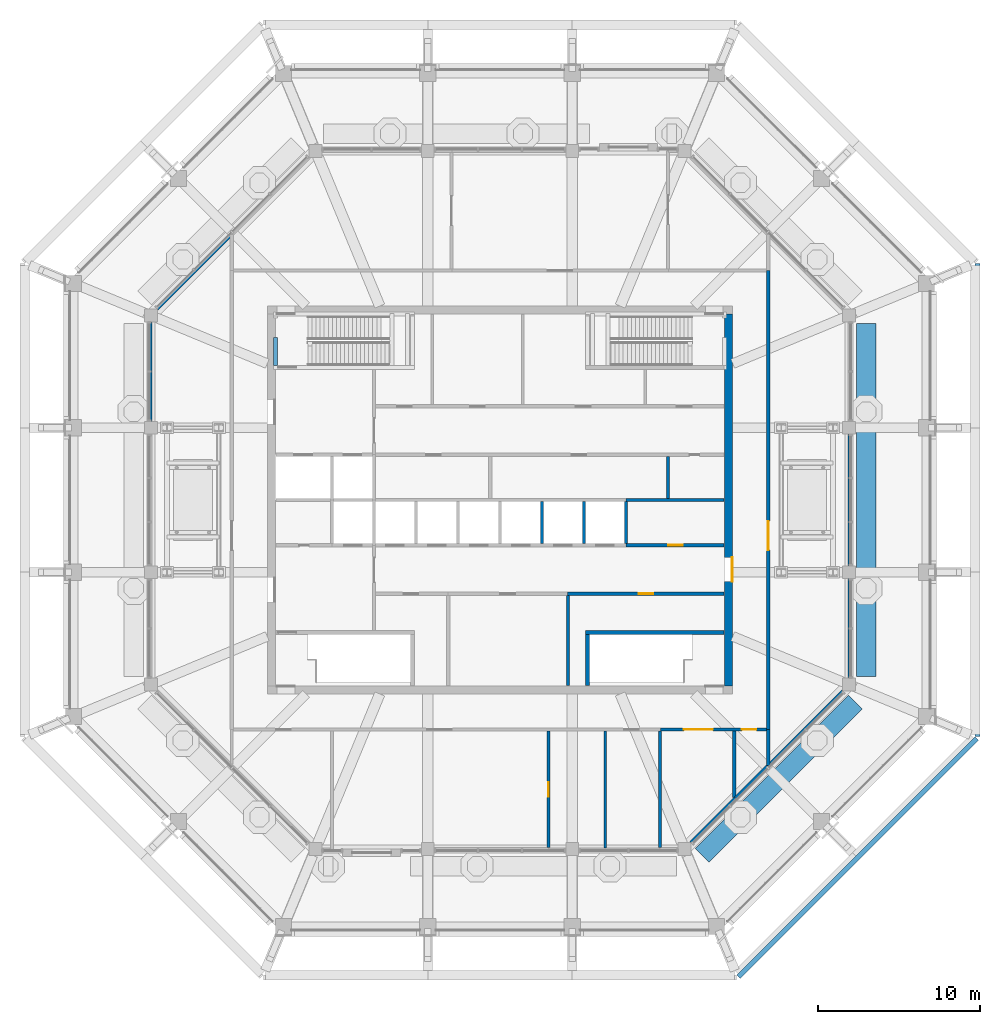
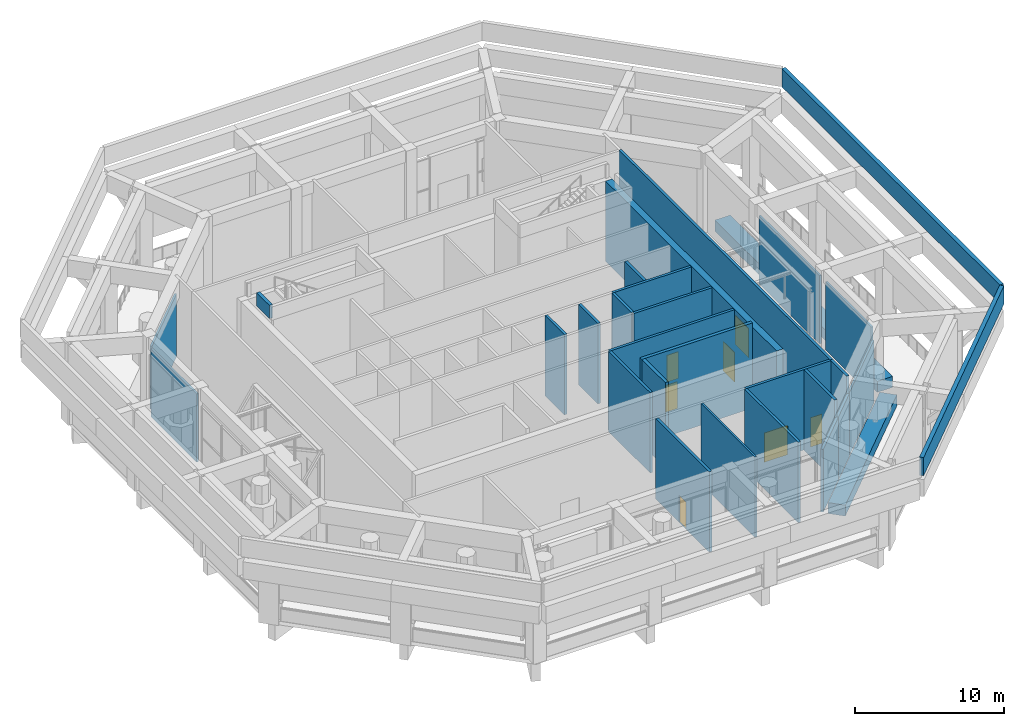
# One storey, part 15 of 29: 30 walls, 7 doors, 7 openings.
"""IFC4 building model written with IfcOpenShell, lengths in metres."""

from ifc_helpers import new_model, si_unit, direction, frame, frame_2d, origin, place, context, subcontext, project, spatial, rectangle, extrude, material, layer, layer_set, type_object, element, fill, save


model = new_model("IFC4")

# Units and contexts
model_context = context("Model", 3, precision=1e-05, world=origin(), true_north=direction((0.0, 1.0)))
body_context = subcontext(model_context, "Body", "Model", "MODEL_VIEW")
ifc_project = project(units=[si_unit("LENGTHUNIT", "METRE"), si_unit("AREAUNIT", "SQUARE_METRE"), si_unit("VOLUMEUNIT", "CUBIC_METRE"), si_unit("PLANEANGLEUNIT", "RADIAN"), si_unit("MASSUNIT", "GRAM", prefix="KILO")], contexts=[model_context])

# Site, building, storey
site_placement = place(None, origin())
site = spatial("IfcSite", under=ifc_project, at=site_placement, CompositionType="ELEMENT")
building_placement = place(site_placement, origin())
building = spatial("IfcBuilding", under=site, at=building_placement, Name="Msitu Wima Residences", CompositionType="ELEMENT")
storey_placement = place(building_placement, frame((0.0, 0.0, 320.10009765625)))
storey = spatial("IfcBuildingStorey", under=building, at=storey_placement, Name="L74", CompositionType="ELEMENT", Elevation=320.10009765625)

# Wall, opening, door
ifc_material_1 = material(Name="Concrete C50/60", Category="concrete")
ifc_layer_1 = layer(ifc_material_1, 0.5)
ifc_layer_set_1 = layer_set([ifc_layer_1], Name="Concrete C50/60")
wall_type_1 = type_object("IfcWallType", Name="Core wall CW500 C50/60", PredefinedType="SHEAR", material=ifc_layer_set_1)
wall_1_placement = place(storey_placement, frame((14.14990234375, -11.5, 0.0), z_axis=(0.0, 0.0, 1.0), x_axis=(0.0, 1.0, 0.0)))
wall_1 = element("IfcWall", 1, at=wall_1_placement, inside=storey, type_object=wall_type_1, Name="Core wall", PredefinedType="SHEAR", context=body_context, shape_type="SweptSolid", body=[
    extrude(rectangle(XDim=23.0, YDim=0.5, at=frame_2d((11.5, 0.0))), origin(), (0.0, 0.0, 1.0), 6.599853515625),
])
opening_1_placement = place(wall_1_placement, frame((6.449951171875, 0.0, 0.0)))
opening_1 = element("IfcOpeningElement", 2, at=opening_1_placement, cuts=wall_1, Name="Opening D74.030", PredefinedType="OPENING", context=body_context, shape_type="SweptSolid", body=[
    extrude(rectangle(XDim=1.5, YDim=2.39990234375, at=frame_2d((0.75, 1.199951171875))), frame((0.0, 0.260009765625, 0.0), z_axis=(0.0, -1.0, 0.0), x_axis=(1.0, 0.0, 0.0)), (0.0, 0.0, 1.0), 0.52001953125),
])
ifc_material_2 = material(Name="Steel framed glazed door, fire resisting", Category="steel")
door_type_1 = type_object("IfcDoorType", Name="Lobby door D07 1500x2400", OperationType="DOUBLE_DOOR_SINGLE_SWING", PredefinedType="DOOR", material=ifc_material_2)
door_1_placement = place(opening_1_placement, origin())
door_1 = element("IfcDoor", 3, at=door_1_placement, inside=storey, type_object=door_type_1, Name="Lobby door", OperationType="DOUBLE_DOOR_SINGLE_SWING", OverallHeight=2.39990234375, OverallWidth=1.5, PredefinedType="DOOR", context=body_context, shape_type="SweptSolid", body=[
    extrude(rectangle(XDim=1.5, YDim=2.39990234375, at=frame_2d((0.75, 1.199951171875))), frame((0.0, -0.19482421875, 0.0), z_axis=(0.0, -1.0, 0.0), x_axis=(1.0, 0.0, 0.0)), (0.0, 0.0, 1.0), 0.050048828125),
])
fill(opening_1, door_1)

ifc_material_3 = material(Name="Plaster")
ifc_layer_2 = layer(ifc_material_3, 0.011962890625, Name="Plaster")
ifc_material_4 = material(Name="Concrete blockwork", Category="masonry")
ifc_layer_3 = layer(ifc_material_4, 0.176025390625, Name="Concrete blockwork")
ifc_layer_4 = layer(ifc_material_3, 0.011962890625, Name="Plaster")
ifc_layer_set_2 = layer_set([ifc_layer_2, ifc_layer_3, ifc_layer_4], Name="Concrete blockwork")
wall_type_2 = type_object("IfcWallType", Name="Corridor wall FW200", PredefinedType="PARTITIONING", material=ifc_layer_set_2)
wall_2_placement = place(storey_placement, frame((3.0, -21.5, 0.0), z_axis=(0.0, 0.0, 1.0), x_axis=(0.0, 1.0, 0.0)))
wall_2 = element("IfcWall", 4, at=wall_2_placement, inside=storey, type_object=wall_type_2, Name="Corridor wall", PredefinedType="PARTITIONING", context=body_context, shape_type="SweptSolid", body=[
    extrude(rectangle(XDim=7.199951171875, YDim=0.199951171875, at=frame_2d((3.60009765625, 0.0))), origin(), (0.0, 0.0, 1.0), 6.599853515625),
])
opening_2_placement = place(wall_2_placement, frame((3.14990234375, 0.0, 0.0)))
opening_2 = element("IfcOpeningElement", 5, at=opening_2_placement, cuts=wall_2, Name="Opening D74.028", PredefinedType="OPENING", context=body_context, shape_type="SweptSolid", body=[
    extrude(rectangle(XDim=0.89990234375, YDim=2.199951171875, at=frame_2d((0.449951171875, 1.10009765625))), frame((0.0, 0.10986328125, 0.0), z_axis=(0.0, -1.0, 0.0), x_axis=(1.0, 0.0, 0.0)), (0.0, 0.0, 1.0), 0.219970703125),
])
ifc_material_5 = material(Name="Timber flush door, moisture resistant", Category="wood")
door_type_2 = type_object("IfcDoorType", Name="Bathroom door D03 900x2200", OperationType="SINGLE_SWING_LEFT", PredefinedType="DOOR", material=ifc_material_5)
door_2_placement = place(opening_2_placement, origin())
door_2 = element("IfcDoor", 6, at=door_2_placement, inside=storey, type_object=door_type_2, Name="Bathroom door", OperationType="SINGLE_SWING_RIGHT", OverallHeight=2.199951171875, OverallWidth=0.89990234375, PredefinedType="DOOR", context=body_context, shape_type="SweptSolid", body=[
    extrude(rectangle(XDim=0.89990234375, YDim=2.199951171875, at=frame_2d((0.449951171875, 1.10009765625))), frame((0.0, 0.02490234375, 0.0), z_axis=(0.0, -1.0, 0.0), x_axis=(1.0, 0.0, 0.0)), (0.0, 0.0, 1.0), 0.050048828125),
])
fill(opening_2, door_2)

wall_3_placement = place(storey_placement, frame((4.179931640625, -5.800048828125, 0.0), z_axis=(0.0, 0.0, 1.0), x_axis=(1.0, 0.0, 0.0)))
wall_3 = element("IfcWall", 7, at=wall_3_placement, inside=storey, type_object=wall_type_2, Name="Corridor wall", PredefinedType="PARTITIONING", context=body_context, shape_type="SweptSolid", body=[
    extrude(rectangle(XDim=9.690185546875, YDim=0.199951171875, at=frame_2d((4.84521484375, 0.0))), origin(), (0.0, 0.0, 1.0), 6.599853515625),
])
opening_3_placement = place(wall_3_placement, frame((4.39990234375, 0.0, 0.0)))
opening_3 = element("IfcOpeningElement", 8, at=opening_3_placement, cuts=wall_3, Name="Opening D74.012", PredefinedType="OPENING", context=body_context, shape_type="SweptSolid", body=[
    extrude(rectangle(XDim=0.89990234375, YDim=2.199951171875, at=frame_2d((0.449951171875, 1.10009765625))), frame((0.0, 0.10986328125, 0.0), z_axis=(0.0, -1.0, 0.0), x_axis=(1.0, 0.0, 0.0)), (0.0, 0.0, 1.0), 0.219970703125),
])
ifc_material_6 = material(Name="Timber flush door", Category="wood")
door_type_3 = type_object("IfcDoorType", Name="Service door D05 900x2200", OperationType="SINGLE_SWING_LEFT", PredefinedType="DOOR", material=ifc_material_6)
door_3_placement = place(opening_3_placement, origin())
door_3 = element("IfcDoor", 9, at=door_3_placement, inside=storey, type_object=door_type_3, Name="Service door", OperationType="SINGLE_SWING_LEFT", OverallHeight=2.199951171875, OverallWidth=0.89990234375, PredefinedType="DOOR", context=body_context, shape_type="SweptSolid", body=[
    extrude(rectangle(XDim=0.89990234375, YDim=2.199951171875, at=frame_2d((0.449951171875, 1.10009765625))), frame((0.0, 0.02490234375, 0.0), z_axis=(0.0, -1.0, 0.0), x_axis=(1.0, 0.0, 0.0)), (0.0, 0.0, 1.0), 0.050048828125),
])
fill(opening_3, door_3)

wall_4_placement = place(storey_placement, frame((16.60009765625, -14.199951171875, 0.0), z_axis=(0.0, 0.0, 1.0), x_axis=(0.0, 1.0, 0.0)))
wall_4 = element("IfcWall", 10, at=wall_4_placement, inside=storey, type_object=wall_type_2, Name="Corridor wall", PredefinedType="PARTITIONING", context=body_context, shape_type="SweptSolid", body=[
    extrude(rectangle(XDim=28.39990234375, YDim=0.199951171875, at=frame_2d((14.199951171875, 0.0))), origin(), (0.0, 0.0, 1.0), 6.599853515625),
])
opening_4_placement = place(wall_4_placement, frame((11.10009765625, 0.0, 0.0)))
opening_4 = element("IfcOpeningElement", 11, at=opening_4_placement, cuts=wall_4, Name="Opening D74.021", PredefinedType="OPENING", context=body_context, shape_type="SweptSolid", body=[
    extrude(rectangle(XDim=1.800048828125, YDim=2.39990234375, at=frame_2d((0.89990234375, 1.199951171875))), frame((0.0, 0.10986328125, 0.0), z_axis=(0.0, -1.0, 0.0), x_axis=(1.0, 0.0, 0.0)), (0.0, 0.0, 1.0), 0.219970703125),
])
ifc_material_7 = material(Name="Steel door, fire resisting", Category="steel")
door_type_4 = type_object("IfcDoorType", Name="Plant room door D09 1800x2400", OperationType="DOUBLE_DOOR_SINGLE_SWING", PredefinedType="DOOR", material=ifc_material_7)
door_4_placement = place(opening_4_placement, origin())
door_4 = element("IfcDoor", 12, at=door_4_placement, inside=storey, type_object=door_type_4, Name="Plant room door", OperationType="DOUBLE_DOOR_SINGLE_SWING", OverallHeight=2.39990234375, OverallWidth=1.800048828125, PredefinedType="DOOR", context=body_context, shape_type="SweptSolid", body=[
    extrude(rectangle(XDim=1.800048828125, YDim=2.39990234375, at=frame_2d((0.89990234375, 1.199951171875))), frame((0.0, 0.02490234375, 0.0), z_axis=(0.0, -1.0, 0.0), x_axis=(1.0, 0.0, 0.0)), (0.0, 0.0, 1.0), 0.050048828125),
])
fill(opening_4, door_4)

# Walls
ifc_material_8 = material(Name="Facing brick")
ifc_layer_5 = layer(ifc_material_8, 0.06494140625, Name="Facing brick")
ifc_material_9 = material(Name="Concrete C40/50", Category="concrete")
ifc_layer_6 = layer(ifc_material_9, 0.531005859375, Name="Concrete C40/50")
ifc_material_10 = material(Name="Waterproofing membrane")
ifc_layer_7 = layer(ifc_material_10, 0.00390625, Name="Waterproofing membrane")
ifc_material_11 = material(Name="Planting soil and planting")
ifc_layer_8 = layer(ifc_material_11, 0.60009765625, Name="Planting soil and planting")
ifc_layer_set_3 = layer_set([ifc_layer_5, ifc_layer_6, ifc_layer_7, ifc_layer_8], Name="Concrete C40/50")
wall_type_3 = type_object("IfcWallType", Name="Deck planter PLANTER PL1200", PredefinedType="USERDEFINED", material=ifc_layer_set_3)
wall_5_placement = place(storey_placement, frame((22.64990234375, -10.920654296875, 0.0), z_axis=(0.0, 0.0, 1.0), x_axis=(0.0, 1.0, 0.0)))
element("IfcWall", 13, at=wall_5_placement, inside=storey, type_object=wall_type_3, Name="Deck planter 1a", ObjectType="PLANTER", PredefinedType="USERDEFINED", context=body_context, shape_type="SweptSolid", body=[
    extrude(rectangle(XDim=21.84130859375, YDim=1.199951171875, at=frame_2d((10.920654296875, 0.0))), origin(), (0.0, 0.0, 1.0), 0.89990234375),
])
wall_6_placement = place(storey_placement, frame((12.511474609375, -21.990966796875, 0.0), z_axis=(0.0, 0.0, 1.0), x_axis=(0.707106781187, 0.707106781187, 0.0)))
element("IfcWall", 14, at=wall_6_placement, inside=storey, type_object=wall_type_3, Name="Deck planter 8a", ObjectType="PLANTER", PredefinedType="USERDEFINED", context=body_context, shape_type="SweptSolid", body=[
    extrude(rectangle(XDim=13.406005859375, YDim=1.199951171875, at=frame_2d((6.703125, 0.0))), origin(), (0.0, 0.0, 1.0), 0.89990234375),
])
ifc_layer_9 = layer(ifc_material_3, 0.011962890625, Name="Plaster")
ifc_layer_10 = layer(ifc_material_4, 0.1259765625, Name="Concrete blockwork")
ifc_layer_11 = layer(ifc_material_3, 0.011962890625, Name="Plaster")
ifc_layer_set_4 = layer_set([ifc_layer_9, ifc_layer_10, ifc_layer_11], Name="Concrete blockwork")
wall_type_4 = type_object("IfcWallType", Name="Partition PW150", PredefinedType="PARTITIONING", material=ifc_layer_set_4)
wall_7_placement = place(storey_placement, frame((-21.60009765625, 4.86865234375, 0.0), z_axis=(0.0, 0.0, 1.0), x_axis=(0.0, 1.0, 0.0)))
element("IfcWall", 15, at=wall_7_placement, inside=storey, type_object=wall_type_4, Name="Partition", PredefinedType="PARTITIONING", context=body_context, shape_type="SweptSolid", body=[
    extrude(rectangle(XDim=6.14892578125, YDim=0.14990234375, at=frame_2d((3.074462890625, 0.0))), origin(), (0.0, 0.0, 1.0), 5.599853515625),
])
wall_8_placement = place(storey_placement, frame((-21.199951171875, 11.817626953125, 0.0), z_axis=(0.0, 0.0, 1.0), x_axis=(0.707106781187, 0.707106781187, 0.0)))
element("IfcWall", 16, at=wall_8_placement, inside=storey, type_object=wall_type_4, Name="Partition", PredefinedType="PARTITIONING", context=body_context, shape_type="SweptSolid", body=[
    extrude(rectangle(XDim=6.377197265625, YDim=0.14990234375, at=frame_2d((3.1884765625, 0.0))), origin(), (0.0, 0.0, 1.0), 5.14990234375),
])
wall_9_placement = place(storey_placement, frame((6.5, -21.52490234375, 0.0), z_axis=(0.0, 0.0, 1.0), x_axis=(0.0, 1.0, 0.0)))
element("IfcWall", 17, at=wall_9_placement, inside=storey, type_object=wall_type_4, Name="Partition", PredefinedType="PARTITIONING", context=body_context, shape_type="SweptSolid", body=[
    extrude(rectangle(XDim=7.224853515625, YDim=0.14990234375, at=frame_2d((3.6123046875, 0.0))), origin(), (0.0, 0.0, 1.0), 6.599853515625),
])
wall_10_placement = place(storey_placement, frame((16.690673828125, -16.326904296875, 0.0), z_axis=(0.0, 0.0, 1.0), x_axis=(0.707106781187, 0.707106781187, 0.0)))
element("IfcWall", 18, at=wall_10_placement, inside=storey, type_object=wall_type_4, Name="Partition", PredefinedType="PARTITIONING", context=body_context, shape_type="SweptSolid", body=[
    extrude(rectangle(XDim=6.377197265625, YDim=0.14990234375, at=frame_2d((3.1884765625, 0.0))), origin(), (0.0, 0.0, 1.0), 5.14990234375),
])
wall_11_placement = place(storey_placement, frame((21.60009765625, -11.017578125, 0.0), z_axis=(0.0, 0.0, 1.0), x_axis=(0.0, 1.0, 0.0)))
element("IfcWall", 19, at=wall_11_placement, inside=storey, type_object=wall_type_4, Name="Partition", PredefinedType="PARTITIONING", context=body_context, shape_type="SweptSolid", body=[
    extrude(rectangle(XDim=6.14892578125, YDim=0.14990234375, at=frame_2d((3.074462890625, 0.0))), origin(), (0.0, 0.0, 1.0), 5.599853515625),
])
wall_12_placement = place(storey_placement, frame((21.60009765625, -4.068603515625, 0.0), z_axis=(0.0, 0.0, 1.0), x_axis=(0.0, 1.0, 0.0)))
element("IfcWall", 20, at=wall_12_placement, inside=storey, type_object=wall_type_4, Name="Partition", PredefinedType="PARTITIONING", context=body_context, shape_type="SweptSolid", body=[
    extrude(rectangle(XDim=8.13720703125, YDim=0.14990234375, at=frame_2d((4.068603515625, 0.0))), origin(), (0.0, 0.0, 1.0), 5.599853515625),
])
ifc_layer_12 = layer(ifc_material_3, 0.011962890625, Name="Plaster")
ifc_material_12 = material(Name="Reinforced concrete blockwork", Category="masonry")
ifc_layer_13 = layer(ifc_material_12, 0.176025390625, Name="Reinforced concrete blockwork")
ifc_layer_14 = layer(ifc_material_3, 0.011962890625, Name="Plaster")
ifc_layer_set_5 = layer_set([ifc_layer_12, ifc_layer_13, ifc_layer_14], Name="Reinforced concrete blockwork")
wall_type_5 = type_object("IfcWallType", Name="Plant and riser wall PL200", PredefinedType="PARTITIONING", material=ifc_layer_set_5)
wall_13_placement = place(storey_placement, frame((4.199951171875, -11.469970703125, 0.0), z_axis=(0.0, 0.0, 1.0), x_axis=(0.0, 1.0, 0.0)))
element("IfcWall", 21, at=wall_13_placement, inside=storey, type_object=wall_type_5, Name="Plant and riser wall", PredefinedType="PARTITIONING", context=body_context, shape_type="SweptSolid", body=[
    extrude(rectangle(XDim=5.570068359375, YDim=0.199951171875, at=frame_2d((2.78515625, 0.0))), origin(), (0.0, 0.0, 1.0), 6.599853515625),
])

# Wall, opening, door
wall_14_placement = place(storey_placement, frame((7.800048828125, -2.800048828125, 0.0), z_axis=(0.0, 0.0, 1.0), x_axis=(1.0, 0.0, 0.0)))
wall_14 = element("IfcWall", 22, at=wall_14_placement, inside=storey, type_object=wall_type_5, Name="Plant and riser wall", PredefinedType="PARTITIONING", context=body_context, shape_type="SweptSolid", body=[
    extrude(rectangle(XDim=6.070068359375, YDim=0.199951171875, at=frame_2d((3.03515625, 0.0))), origin(), (0.0, 0.0, 1.0), 6.599853515625),
])
opening_5_placement = place(wall_14_placement, frame((2.60009765625, 0.0, 0.0)))
opening_5 = element("IfcOpeningElement", 23, at=opening_5_placement, cuts=wall_14, Name="Opening D74.003", PredefinedType="OPENING", context=body_context, shape_type="SweptSolid", body=[
    extrude(rectangle(XDim=0.89990234375, YDim=2.199951171875, at=frame_2d((0.449951171875, 1.10009765625))), frame((0.0, 0.10986328125, 0.0), z_axis=(0.0, -1.0, 0.0), x_axis=(1.0, 0.0, 0.0)), (0.0, 0.0, 1.0), 0.219970703125),
])
door_5_placement = place(opening_5_placement, origin())
door_5 = element("IfcDoor", 24, at=door_5_placement, inside=storey, type_object=door_type_3, Name="Service door", OperationType="SINGLE_SWING_LEFT", OverallHeight=2.199951171875, OverallWidth=0.89990234375, PredefinedType="DOOR", context=body_context, shape_type="SweptSolid", body=[
    extrude(rectangle(XDim=0.89990234375, YDim=2.199951171875, at=frame_2d((0.449951171875, 1.10009765625))), frame((0.0, 0.02490234375, 0.0), z_axis=(0.0, -1.0, 0.0), x_axis=(1.0, 0.0, 0.0)), (0.0, 0.0, 1.0), 0.050048828125),
])
fill(opening_5, door_5)

# Wall
wall_15_placement = place(storey_placement, frame((7.800048828125, 0.0, 0.0), z_axis=(0.0, 0.0, 1.0), x_axis=(1.0, 0.0, 0.0)))
element("IfcWall", 25, at=wall_15_placement, inside=storey, type_object=wall_type_5, Name="Plant and riser wall", PredefinedType="PARTITIONING", context=body_context, shape_type="SweptSolid", body=[
    extrude(rectangle(XDim=6.070068359375, YDim=0.199951171875, at=frame_2d((3.03515625, 0.0))), origin(), (0.0, 0.0, 1.0), 6.599853515625),
])

# Wall, openings, doors
wall_16_placement = place(storey_placement, frame((9.919921875, -14.199951171875, 0.0), z_axis=(0.0, 0.0, 1.0), x_axis=(1.0, 0.0, 0.0)))
wall_16 = element("IfcWall", 26, at=wall_16_placement, inside=storey, type_object=wall_type_5, Name="Plant and riser wall", PredefinedType="PARTITIONING", context=body_context, shape_type="SweptSolid", body=[
    extrude(rectangle(XDim=6.580078125, YDim=0.199951171875, at=frame_2d((3.2900390625, 0.0))), origin(), (0.0, 0.0, 1.0), 6.599853515625),
])
opening_6_placement = place(wall_16_placement, frame((1.449951171875, 0.0, 0.0)))
opening_6 = element("IfcOpeningElement", 27, at=opening_6_placement, cuts=wall_16, Name="Opening D74.025", PredefinedType="OPENING", context=body_context, shape_type="SweptSolid", body=[
    extrude(rectangle(XDim=1.800048828125, YDim=2.39990234375, at=frame_2d((0.89990234375, 1.199951171875))), frame((0.0, 0.10986328125, 0.0), z_axis=(0.0, -1.0, 0.0), x_axis=(1.0, 0.0, 0.0)), (0.0, 0.0, 1.0), 0.219970703125),
])
opening_7_placement = place(wall_16_placement, frame((5.050048828125, 0.0, 0.0)))
opening_7 = element("IfcOpeningElement", 28, at=opening_7_placement, cuts=wall_16, Name="Opening D74.026", PredefinedType="OPENING", context=body_context, shape_type="SweptSolid", body=[
    extrude(rectangle(XDim=0.89990234375, YDim=2.39990234375, at=frame_2d((0.449951171875, 1.199951171875))), frame((0.0, 0.10986328125, 0.0), z_axis=(0.0, -1.0, 0.0), x_axis=(1.0, 0.0, 0.0)), (0.0, 0.0, 1.0), 0.219970703125),
])
door_6_placement = place(opening_6_placement, origin())
door_6 = element("IfcDoor", 29, at=door_6_placement, inside=storey, type_object=door_type_4, Name="Plant room door", OperationType="DOUBLE_DOOR_SINGLE_SWING", OverallHeight=2.39990234375, OverallWidth=1.800048828125, PredefinedType="DOOR", context=body_context, shape_type="SweptSolid", body=[
    extrude(rectangle(XDim=1.800048828125, YDim=2.39990234375, at=frame_2d((0.89990234375, 1.199951171875))), frame((0.0, 0.02490234375, 0.0), z_axis=(0.0, -1.0, 0.0), x_axis=(1.0, 0.0, 0.0)), (0.0, 0.0, 1.0), 0.050048828125),
])
fill(opening_6, door_6)
door_type_5 = type_object("IfcDoorType", Name="Plant room door D15 900x2400", OperationType="DOUBLE_DOOR_SINGLE_SWING", PredefinedType="DOOR", material=ifc_material_7)
door_7_placement = place(opening_7_placement, origin())
door_7 = element("IfcDoor", 30, at=door_7_placement, inside=storey, type_object=door_type_5, Name="Plant room door", OperationType="DOUBLE_DOOR_SINGLE_SWING", OverallHeight=2.39990234375, OverallWidth=0.89990234375, PredefinedType="DOOR", context=body_context, shape_type="SweptSolid", body=[
    extrude(rectangle(XDim=0.89990234375, YDim=2.39990234375, at=frame_2d((0.449951171875, 1.199951171875))), frame((0.0, 0.02490234375, 0.0), z_axis=(0.0, -1.0, 0.0), x_axis=(1.0, 0.0, 0.0)), (0.0, 0.0, 1.0), 0.050048828125),
])
fill(opening_7, door_7)

# Walls
wall_17_placement = place(storey_placement, frame((9.89990234375, -21.5, 0.0), z_axis=(0.0, 0.0, 1.0), x_axis=(0.0, 1.0, 0.0)))
element("IfcWall", 31, at=wall_17_placement, inside=storey, type_object=wall_type_5, Name="Plant and riser wall", PredefinedType="PARTITIONING", context=body_context, shape_type="SweptSolid", body=[
    extrude(rectangle(XDim=7.199951171875, YDim=0.199951171875, at=frame_2d((3.60009765625, 0.0))), origin(), (0.0, 0.0, 1.0), 6.599853515625),
])
wall_18_placement = place(storey_placement, frame((10.39990234375, 0.10009765625, 0.0), z_axis=(0.0, 0.0, 1.0), x_axis=(0.0, 1.0, 0.0)))
element("IfcWall", 32, at=wall_18_placement, inside=storey, type_object=wall_type_5, Name="Plant and riser wall", PredefinedType="PARTITIONING", context=body_context, shape_type="SweptSolid", body=[
    extrude(rectangle(XDim=2.599853515625, YDim=0.199951171875, at=frame_2d((1.2998046875, 0.0))), origin(), (0.0, 0.0, 1.0), 6.599853515625),
])
wall_19_placement = place(storey_placement, frame((11.817626953125, -21.199951171875, 0.0), z_axis=(0.0, 0.0, 1.0), x_axis=(0.707138133605, 0.707075427377, 0.0)))
element("IfcWall", 33, at=wall_19_placement, inside=storey, type_object=wall_type_5, Name="Plant and riser wall", PredefinedType="PARTITIONING", context=body_context, shape_type="SweptSolid", body=[
    extrude(rectangle(XDim=3.893310546875, YDim=0.199951171875, at=frame_2d((1.94677734375, 0.0))), origin(), (0.0, 0.0, 1.0), 5.14990234375),
])
wall_20_placement = place(storey_placement, frame((14.5, -18.417724609375, 0.0), z_axis=(0.0, 0.0, 1.0), x_axis=(0.0, 1.0, 0.0)))
element("IfcWall", 34, at=wall_20_placement, inside=storey, type_object=wall_type_5, Name="Plant and riser wall", PredefinedType="PARTITIONING", context=body_context, shape_type="SweptSolid", body=[
    extrude(rectangle(XDim=4.11767578125, YDim=0.199951171875, at=frame_2d((2.058837890625, 0.0))), origin(), (0.0, 0.0, 1.0), 6.599853515625),
])
wall_21_placement = place(storey_placement, frame((14.5908203125, -18.427001953125, 0.0), z_axis=(0.0, 0.0, 1.0), x_axis=(0.707106781187, 0.707106781187, 0.0)))
element("IfcWall", 35, at=wall_21_placement, inside=storey, type_object=wall_type_5, Name="Plant and riser wall", PredefinedType="PARTITIONING", context=body_context, shape_type="SweptSolid", body=[
    extrude(rectangle(XDim=2.821533203125, YDim=0.199951171875, at=frame_2d((1.41064453125, 0.0))), origin(), (0.0, 0.0, 1.0), 5.14990234375),
])
wall_22_placement = place(storey_placement, frame((16.60009765625, -16.417724609375, 0.0), z_axis=(0.0, 0.0, 1.0), x_axis=(0.0, 1.0, 0.0)))
element("IfcWall", 36, at=wall_22_placement, inside=storey, type_object=wall_type_5, Name="Plant and riser wall", PredefinedType="PARTITIONING", context=body_context, shape_type="SweptSolid", body=[
    extrude(rectangle(XDim=2.2177734375, YDim=0.199951171875, at=frame_2d((1.10888671875, 0.0))), origin(), (0.0, 0.0, 1.0), 6.599853515625),
])
ifc_layer_15 = layer(ifc_material_8, 0.06494140625, Name="Facing brick")
ifc_layer_16 = layer(ifc_material_9, 0.235107421875, Name="Concrete C40/50")
ifc_layer_set_6 = layer_set([ifc_layer_15, ifc_layer_16], Name="Concrete C40/50")
wall_type_6 = type_object("IfcWallType", Name="Roof parapet PA300", PredefinedType="PARAPET", material=ifc_layer_set_6)
wall_23_placement = place(storey_placement, frame((29.550048828125, 14.6484375, 7.0), z_axis=(0.0, 0.0, 1.0), x_axis=(0.0, -1.0, 0.0)))
element("IfcWall", 37, at=wall_23_placement, inside=storey, type_object=wall_type_6, Name="Roof parapet 7", PredefinedType="PARAPET", context=body_context, shape_type="SweptSolid", body=[
    extrude(rectangle(XDim=29.296875, YDim=0.300048828125, at=frame_2d((14.6484375, 0.0))), origin(), (0.0, 0.0, 1.0), 1.5),
])
wall_24_placement = place(storey_placement, frame((29.506103515625, -14.754638671875, 7.0), z_axis=(0.0, 0.0, 1.0), x_axis=(-0.707106781187, -0.707106781187, 0.0)))
element("IfcWall", 38, at=wall_24_placement, inside=storey, type_object=wall_type_6, Name="Roof parapet 8", PredefinedType="PARAPET", context=body_context, shape_type="SweptSolid", body=[
    extrude(rectangle(XDim=20.86181640625, YDim=0.300048828125, at=frame_2d((10.430908203125, 0.0))), origin(), (0.0, 0.0, 1.0), 1.5),
])
ifc_layer_17 = layer(ifc_material_8, 0.06494140625, Name="Facing brick")
ifc_layer_18 = layer(ifc_material_9, 0.18505859375, Name="Concrete C40/50")
ifc_layer_set_7 = layer_set([ifc_layer_17, ifc_layer_18], Name="Concrete C40/50")
wall_type_7 = type_object("IfcWallType", Name="Roof stair upstand wall UW250", PredefinedType="SOLIDWALL", material=ifc_layer_set_7)
wall_25_placement = place(storey_placement, frame((-13.89990234375, 8.324951171875, 7.0), z_axis=(0.0, 0.0, 1.0), x_axis=(0.0, 1.0, 0.0)))
element("IfcWall", 39, at=wall_25_placement, inside=storey, type_object=wall_type_7, Name="Roof stair 1 upstand wall", PredefinedType="SOLIDWALL", context=body_context, shape_type="SweptSolid", body=[
    extrude(rectangle(XDim=1.72509765625, YDim=0.25, at=frame_2d((0.862548828125, 0.0))), origin(), (0.0, 0.0, 1.0), 1.099853515625),
])
ifc_material_13 = material(Name="Fire-rated board")
ifc_layer_19 = layer(ifc_material_13, 0.02490234375, Name="Fire-rated board")
ifc_material_14 = material(Name="Light-gauge stud framing with mineral wool")
ifc_layer_20 = layer(ifc_material_14, 0.14990234375, Name="Light-gauge stud framing with mineral wool")
ifc_layer_21 = layer(ifc_material_13, 0.02490234375, Name="Fire-rated board")
ifc_layer_set_8 = layer_set([ifc_layer_19, ifc_layer_20, ifc_layer_21], Name="Light-gauge stud framing with mineral wool")
wall_type_8 = type_object("IfcWallType", Name="Shaft wall SH200", PredefinedType="PARTITIONING", material=ifc_layer_set_8)
for number, where, z_axis, x_axis, name in (
    (40, (2.60009765625, -2.699951171875, 0.0), (0.0, 0.0, 1.0), (0.0, 1.0, 0.0), "Shaft wall"),
    (41, (5.199951171875, -2.699951171875, 0.0), (0.0, 0.0, 1.0), (0.0, 1.0, 0.0), "Shaft wall"),
    (42, (7.800048828125, -2.699951171875, 0.0), (0.0, 0.0, 1.0), (0.0, 1.0, 0.0), "Shaft wall"),
):
    element("IfcWall", number, at=place(storey_placement, frame(where, z_axis=z_axis, x_axis=x_axis)), inside=storey, type_object=wall_type_8, Name=name, PredefinedType="PARTITIONING", context=body_context, shape_type="SweptSolid", body=[
        extrude(rectangle(XDim=2.599853515625, YDim=0.199951171875, at=frame_2d((1.2998046875, 0.0))), origin(), (0.0, 0.0, 1.0), 6.599853515625),
    ])
ifc_layer_22 = layer(ifc_material_1, 0.25)
ifc_layer_set_9 = layer_set([ifc_layer_22], Name="Concrete C50/60")
wall_type_9 = type_object("IfcWallType", Name="Stair enclosure wall SW250", PredefinedType="SHEAR", material=ifc_layer_set_9)
wall_26_placement = place(storey_placement, frame((5.39990234375, -11.469970703125, 0.0), z_axis=(0.0, 0.0, 1.0), x_axis=(0.0, 1.0, 0.0)))
element("IfcWall", 43, at=wall_26_placement, inside=storey, type_object=wall_type_9, Name="Stair enclosure wall", PredefinedType="SHEAR", context=body_context, shape_type="SweptSolid", body=[
    extrude(rectangle(XDim=3.14501953125, YDim=0.25, at=frame_2d((1.572509765625, 0.0))), origin(), (0.0, 0.0, 1.0), 7.0),
])
wall_27_placement = place(storey_placement, frame((5.27490234375, -8.199951171875, 0.0), z_axis=(0.0, 0.0, 1.0), x_axis=(1.0, 0.0, 0.0)))
element("IfcWall", 44, at=wall_27_placement, inside=storey, type_object=wall_type_9, Name="Stair enclosure wall", PredefinedType="SHEAR", context=body_context, shape_type="SweptSolid", body=[
    extrude(rectangle(XDim=8.59521484375, YDim=0.25, at=frame_2d((4.297607421875, 0.0))), origin(), (0.0, 0.0, 1.0), 7.0),
])

save(model, "model.ifc")
